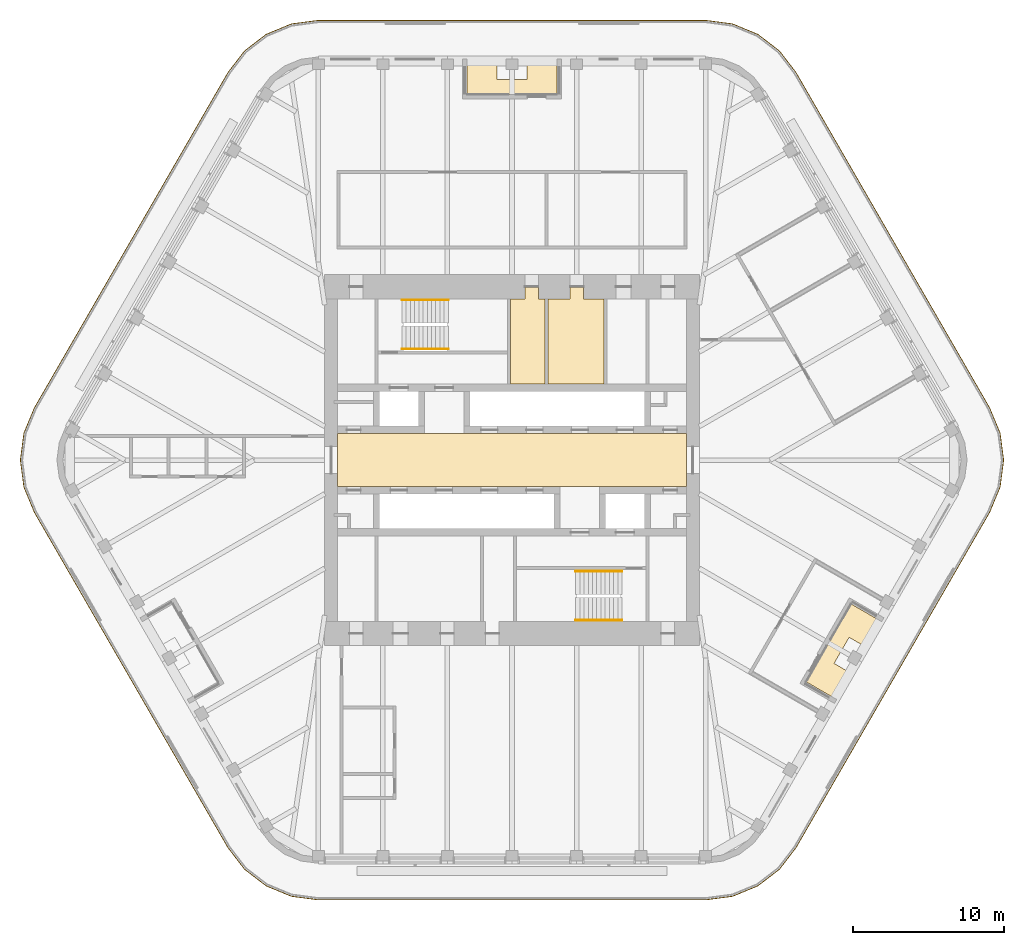
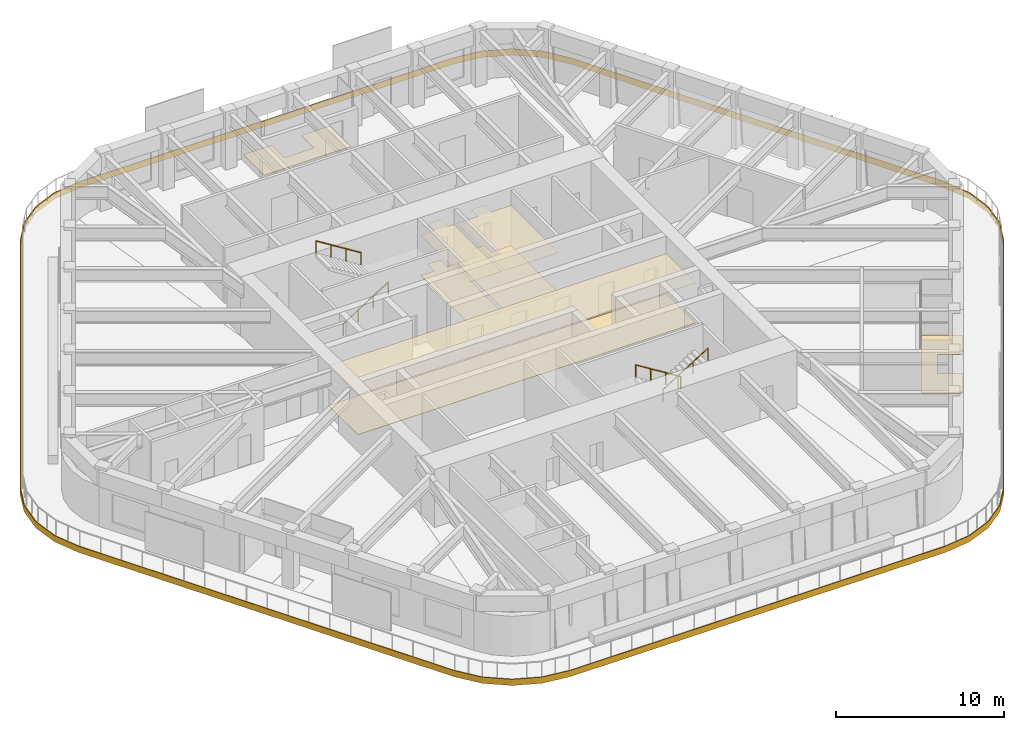
# One storey, part 18 of 19: 9 coverings, 4 railings.
"""IFC4 building model written with IfcOpenShell, lengths in metres."""

from ifc_helpers import new_model, si_unit, direction, frame, origin, origin_2d, place, context, subcontext, project, spatial, polyline, circle, outline, extrude, material, layer, layer_set, type_object, element, save


model = new_model("IFC4")

# Units and contexts
model_context = context("Model", 3, precision=1e-05, world=origin(), true_north=direction((0.0, 1.0)))
body_context = subcontext(model_context, "Body", "Model", "MODEL_VIEW")
ifc_project = project(units=[si_unit("LENGTHUNIT", "METRE"), si_unit("AREAUNIT", "SQUARE_METRE"), si_unit("VOLUMEUNIT", "CUBIC_METRE"), si_unit("PLANEANGLEUNIT", "RADIAN"), si_unit("MASSUNIT", "GRAM", prefix="KILO")], contexts=[model_context])

# Site, building, storey
site_placement = place(None, origin())
site = spatial("IfcSite", under=ifc_project, at=site_placement, CompositionType="ELEMENT")
building_placement = place(site_placement, origin())
building = spatial("IfcBuilding", under=site, at=building_placement, Name="Tarfa Lantern Tower", CompositionType="ELEMENT")
storey_placement = place(building_placement, frame((0.0, 0.0, 387.10009765625)))
storey = spatial("IfcBuildingStorey", under=building, at=storey_placement, Name="L88", CompositionType="ELEMENT", Elevation=387.10009765625)

# Coverings
ifc_material_1 = material(Name="Moisture-resistant plasterboard", Category="finish")
ifc_layer_1 = layer(ifc_material_1, 0.014892578125)
ifc_layer_set_1 = layer_set([ifc_layer_1], Name="CL2 MOISTURE-RESISTANT PLASTERBOARD CEILING 15")
covering_type_1 = type_object("IfcCoveringType", Name="CL2 MOISTURE-RESISTANT PLASTERBOARD CEILING 15", PredefinedType="CEILING", material=ifc_layer_set_1)
covering_1_placement = place(storey_placement, frame((0.0, 0.0, 2.89990234375)))
element("IfcCovering", 1, at=covering_1_placement, inside=storey, type_object=covering_type_1, Name="Ceiling L88-05", PredefinedType="CEILING", context=body_context, shape_type="SweptSolid", body=[
    extrude(outline(polyline([(0.85009765625, 10.699951171875), (-0.10009765625, 10.699951171875), (-0.10009765625, 5.050048828125), (2.199951171875, 5.050048828125), (2.199951171875, 10.699951171875), (1.75, 10.699951171875), (1.75, 11.5), (0.85009765625, 11.5), (0.85009765625, 10.699951171875)])), origin(), (0.0, 0.0, 1.0), 0.014892578125),
])
covering_2_placement = place(storey_placement, frame((0.0, 0.0, 2.89990234375)))
element("IfcCovering", 2, at=covering_2_placement, inside=storey, type_object=covering_type_1, Name="Ceiling L88-06", PredefinedType="CEILING", context=body_context, shape_type="SweptSolid", body=[
    extrude(outline(polyline([(2.39990234375, 5.050048828125), (6.10009765625, 5.050048828125), (6.10009765625, 10.699951171875), (4.75, 10.699951171875), (4.75, 11.5), (3.85009765625, 11.5), (3.85009765625, 10.699951171875), (2.39990234375, 10.699951171875), (2.39990234375, 5.050048828125)])), origin(), (0.0, 0.0, 1.0), 0.014892578125),
])
ifc_material_2 = material(Name="Powder-coated aluminium panel", Category="aluminium")
ifc_layer_2 = layer(ifc_material_2, 0.030029296875)
ifc_layer_set_2 = layer_set([ifc_layer_2], Name="CL3 METAL PANEL CEILING 30")
covering_type_2 = type_object("IfcCoveringType", Name="CL3 METAL PANEL CEILING 30", PredefinedType="CEILING", material=ifc_layer_set_2)
covering_3_placement = place(storey_placement, frame((0.0, 0.0, 2.89990234375)))
element("IfcCovering", 3, at=covering_3_placement, inside=storey, type_object=covering_type_2, Name="Ceiling L88-01", PredefinedType="CEILING", context=body_context, shape_type="SweptSolid", body=[
    extrude(outline(polyline([(-11.574951171875, -1.75), (11.574951171875, -1.75), (11.574951171875, 1.75), (-11.574951171875, 1.75), (-11.574951171875, -1.75)])), origin(), (0.0, 0.0, 1.0), 0.030029296875),
])
ifc_material_3 = material(Name="Honed limestone flooring", Category="masonry")
ifc_layer_3 = layer(ifc_material_3, 0.030029296875)
ifc_layer_set_3 = layer_set([ifc_layer_3], Name="FL2 STONE FLOORING 30")
covering_type_3 = type_object("IfcCoveringType", Name="FL2 STONE FLOORING 30", PredefinedType="FLOORING", material=ifc_layer_set_3)
covering_4_placement = place(storey_placement, origin())
element("IfcCovering", 4, at=covering_4_placement, inside=storey, type_object=covering_type_3, Name="Floor finish L88-01", PredefinedType="FLOORING", context=body_context, shape_type="SweptSolid", body=[
    extrude(outline(polyline([(-11.574951171875, -1.75), (11.574951171875, -1.75), (11.574951171875, 1.75), (-11.574951171875, 1.75), (-11.574951171875, -1.75)])), origin(), (0.0, 0.0, 1.0), 0.02978515625),
])
ifc_material_4 = material(Name="Porcelain floor tile", Category="finish")
ifc_layer_4 = layer(ifc_material_4, 0.011962890625)
ifc_layer_set_4 = layer_set([ifc_layer_4], Name="FL3 CERAMIC TILE 12")
covering_type_4 = type_object("IfcCoveringType", Name="FL3 CERAMIC TILE 12", PredefinedType="FLOORING", material=ifc_layer_set_4)
covering_5_placement = place(storey_placement, origin())
element("IfcCovering", 5, at=covering_5_placement, inside=storey, type_object=covering_type_4, Name="Floor finish L88-05", PredefinedType="FLOORING", context=body_context, shape_type="SweptSolid", body=[
    extrude(outline(polyline([(0.85009765625, 10.699951171875), (-0.10009765625, 10.699951171875), (-0.10009765625, 5.050048828125), (2.199951171875, 5.050048828125), (2.199951171875, 10.699951171875), (1.75, 10.699951171875), (1.75, 11.5), (0.85009765625, 11.5), (0.85009765625, 10.699951171875)])), origin(), (0.0, 0.0, 1.0), 0.011962890625),
])
covering_6_placement = place(storey_placement, origin())
element("IfcCovering", 6, at=covering_6_placement, inside=storey, type_object=covering_type_4, Name="Floor finish L88-06", PredefinedType="FLOORING", context=body_context, shape_type="SweptSolid", body=[
    extrude(outline(polyline([(2.39990234375, 5.050048828125), (6.10009765625, 5.050048828125), (6.10009765625, 10.699951171875), (4.75, 10.699951171875), (4.75, 11.5), (3.85009765625, 11.5), (3.85009765625, 10.699951171875), (2.39990234375, 10.699951171875), (2.39990234375, 5.050048828125)])), origin(), (0.0, 0.0, 1.0), 0.011962890625),
])

# Railings
ifc_material_5 = material(Name="Stainless steel", Category="steel")
railing_type = type_object("IfcRailingType", Name="HR1 HANDRAIL 900", PredefinedType="HANDRAIL", material=ifc_material_5)
railing_1_placement = place(storey_placement, frame((-7.300048828125, 7.3798828125, 0.1748046875)))
element("IfcRailing", 7, at=railing_1_placement, inside=storey, type_object=railing_type, Name="Handrail 1", PredefinedType="HANDRAIL", context=body_context, shape_type="SweptSolid", body=[
    extrude(circle(Radius=0.02392578125, at=origin_2d()), frame((0.0, 0.0, 0.8759765625), z_axis=(0.847998304005, 0.0, 0.529998940003), x_axis=(0.0, 1.0, 0.0)), (0.0, 0.0, 1.0), 3.632080078125),
    extrude(circle(Radius=0.02099609375, at=origin_2d()), frame((0.0, 0.0, 0.0), z_axis=(0.0, 0.0, 1.0), x_axis=(0.0, 1.0, 0.0)), (0.0, 0.0, 1.0), 0.851806640625),
    extrude(circle(Radius=0.02099609375, at=origin_2d()), frame((1.026611328125, 0.0, 0.6416015625), z_axis=(0.0, 0.0, 1.0), x_axis=(0.0, 1.0, 0.0)), (0.0, 0.0, 1.0), 0.851806640625),
    extrude(circle(Radius=0.02099609375, at=origin_2d()), frame((2.053466796875, 0.0, 1.283447265625), z_axis=(0.0, 0.0, 1.0), x_axis=(0.0, 1.0, 0.0)), (0.0, 0.0, 1.0), 0.851806640625),
    extrude(circle(Radius=0.02099609375, at=origin_2d()), frame((3.080078125, 0.0, 1.925048828125), z_axis=(0.0, 0.0, 1.0), x_axis=(0.0, 1.0, 0.0)), (0.0, 0.0, 1.0), 0.851806640625),
])
for number, where, name in (
    (8, (-4.219970703125, 10.6201171875, 2.27490234375), "Handrail 2"),
    (9, (7.300048828125, -7.3798828125, 0.1748046875), "Handrail 1"),
):
    element("IfcRailing", number, at=place(storey_placement, frame(where)), inside=storey, type_object=railing_type, Name=name, PredefinedType="HANDRAIL", context=body_context, shape_type="SweptSolid", body=[
        extrude(circle(Radius=0.02392578125, at=origin_2d()), frame((0.0, 0.0, 0.8759765625), z_axis=(-0.847998304005, 0.0, 0.529998940003), x_axis=(0.0, -1.0, 0.0)), (0.0, 0.0, 1.0), 3.632080078125),
        extrude(circle(Radius=0.02099609375, at=origin_2d()), frame((0.0, 0.0, 0.0), z_axis=(0.0, 0.0, 1.0), x_axis=(0.0, -1.0, 0.0)), (0.0, 0.0, 1.0), 0.851806640625),
        extrude(circle(Radius=0.02099609375, at=origin_2d()), frame((-1.026611328125, 0.0, 0.6416015625), z_axis=(0.0, 0.0, 1.0), x_axis=(0.0, -1.0, 0.0)), (0.0, 0.0, 1.0), 0.851806640625),
        extrude(circle(Radius=0.02099609375, at=origin_2d()), frame((-2.053466796875, 0.0, 1.283447265625), z_axis=(0.0, 0.0, 1.0), x_axis=(0.0, -1.0, 0.0)), (0.0, 0.0, 1.0), 0.851806640625),
        extrude(circle(Radius=0.02099609375, at=origin_2d()), frame((-3.080078125, 0.0, 1.925048828125), z_axis=(0.0, 0.0, 1.0), x_axis=(0.0, -1.0, 0.0)), (0.0, 0.0, 1.0), 0.851806640625),
    ])
railing_2_placement = place(storey_placement, frame((4.219970703125, -10.6201171875, 2.27490234375)))
element("IfcRailing", 10, at=railing_2_placement, inside=storey, type_object=railing_type, Name="Handrail 2", PredefinedType="HANDRAIL", context=body_context, shape_type="SweptSolid", body=[
    extrude(circle(Radius=0.02392578125, at=origin_2d()), frame((0.0, 0.0, 0.8759765625), z_axis=(0.847998304005, 0.0, 0.529998940003), x_axis=(0.0, 1.0, 0.0)), (0.0, 0.0, 1.0), 3.632080078125),
    extrude(circle(Radius=0.02099609375, at=origin_2d()), frame((0.0, 0.0, 0.0), z_axis=(0.0, 0.0, 1.0), x_axis=(0.0, 1.0, 0.0)), (0.0, 0.0, 1.0), 0.851806640625),
    extrude(circle(Radius=0.02099609375, at=origin_2d()), frame((1.026611328125, 0.0, 0.6416015625), z_axis=(0.0, 0.0, 1.0), x_axis=(0.0, 1.0, 0.0)), (0.0, 0.0, 1.0), 0.851806640625),
    extrude(circle(Radius=0.02099609375, at=origin_2d()), frame((2.053466796875, 0.0, 1.283447265625), z_axis=(0.0, 0.0, 1.0), x_axis=(0.0, 1.0, 0.0)), (0.0, 0.0, 1.0), 0.851806640625),
    extrude(circle(Radius=0.02099609375, at=origin_2d()), frame((3.080078125, 0.0, 1.925048828125), z_axis=(0.0, 0.0, 1.0), x_axis=(0.0, 1.0, 0.0)), (0.0, 0.0, 1.0), 0.851806640625),
])

# Coverings
ifc_material_6 = material(Name="Porcelain pavers on pedestals", Category="ceramic")
ifc_layer_5 = layer(ifc_material_6, 0.0400390625)
ifc_layer_set_5 = layer_set([ifc_layer_5], Name="LP1 LOGGIA PAVING 40")
covering_type_5 = type_object("IfcCoveringType", Name="LP1 LOGGIA PAVING 40", PredefinedType="FLOORING", material=ifc_layer_set_5)
covering_7_placement = place(storey_placement, origin())
element("IfcCovering", 11, at=covering_7_placement, inside=storey, type_object=covering_type_5, Name="Terrace paving N", PredefinedType="FLOORING", context=body_context, shape_type="SweptSolid", body=[
    extrude(outline(polyline([(2.98193359375, 26.75), (2.98193359375, 24.27001953125), (-2.98193359375, 24.27001953125), (-2.98193359375, 26.75), (-1.0, 26.75), (-1.0, 25.25), (1.0, 25.25), (1.0, 26.75), (2.98193359375, 26.75)])), origin(), (0.0, 0.0, 1.0), 0.039794921875),
])
covering_8_placement = place(storey_placement, origin())
element("IfcCovering", 12, at=covering_8_placement, inside=storey, type_object=covering_type_5, Name="Terrace paving SE", PredefinedType="FLOORING", context=body_context, shape_type="SweptSolid", body=[
    extrude(outline(polyline([(21.67529296875, -15.95751953125), (19.52734375, -14.717529296875), (22.509521484375, -9.552490234375), (24.6572265625, -10.79248046875), (23.666259765625, -12.509033203125), (22.3671875, -11.759033203125), (21.3671875, -13.490966796875), (22.666259765625, -14.240966796875), (21.67529296875, -15.95751953125)])), origin(), (0.0, 0.0, 1.0), 0.039794921875),
])
ifc_material_7 = material(Name="Limestone cladding on brackets", Category="masonry")
ifc_layer_6 = layer(ifc_material_7, 0.050048828125)
ifc_layer_set_6 = layer_set([ifc_layer_6], Name="SB1 STONE BAND CLADDING 50")
covering_type_6 = type_object("IfcCoveringType", Name="SB1 STONE BAND CLADDING 50", PredefinedType="CLADDING", material=ifc_layer_set_6)
covering_9_placement = place(storey_placement, frame((0.0, 0.0, -0.400146484375)))
element("IfcCovering", 13, at=covering_9_placement, inside=storey, type_object=covering_type_6, Name="Stone band", PredefinedType="CLADDING", context=body_context, shape_type="SweptSolid", body=[
    extrude(outline(polyline([(31.7109375, 3.47509765625), (18.864990234375, 25.72509765625), (17.760498046875, 27.164306640625), (16.321044921875, 28.268798828125), (14.644775390625, 28.963134765625), (12.845947265625, 29.199951171875), (-12.845947265625, 29.199951171875), (-14.644775390625, 28.963134765625), (-16.321044921875, 28.268798828125), (-17.760498046875, 27.164306640625), (-18.864990234375, 25.72509765625), (-31.7109375, 3.47509765625), (-32.4052734375, 1.798828125), (-32.64208984375, 0.0), (-32.4052734375, -1.798828125), (-31.7109375, -3.47509765625), (-18.864990234375, -25.72509765625), (-17.760498046875, -27.164306640625), (-16.321044921875, -28.268798828125), (-14.644775390625, -28.963134765625), (-12.845947265625, -29.199951171875), (12.845947265625, -29.199951171875), (14.644775390625, -28.963134765625), (16.321044921875, -28.268798828125), (17.760498046875, -27.164306640625), (18.864990234375, -25.72509765625), (31.7109375, -3.47509765625), (32.4052734375, -1.798828125), (32.64208984375, 0.0), (32.4052734375, 1.798828125), (31.7109375, 3.47509765625)]), holes=[polyline([(31.667724609375, 3.449951171875), (18.821533203125, 25.699951171875), (17.72509765625, 27.129150390625), (16.296142578125, 28.2255859375), (14.6318359375, 28.914794921875), (12.845947265625, 29.14990234375), (-12.845947265625, 29.14990234375), (-14.6318359375, 28.914794921875), (-16.296142578125, 28.2255859375), (-17.72509765625, 27.129150390625), (-18.821533203125, 25.699951171875), (-31.667724609375, 3.449951171875), (-32.35693359375, 1.785888671875), (-32.592041015625, 0.0), (-32.35693359375, -1.785888671875), (-31.667724609375, -3.449951171875), (-18.821533203125, -25.699951171875), (-17.72509765625, -27.129150390625), (-16.296142578125, -28.2255859375), (-14.6318359375, -28.914794921875), (-12.845947265625, -29.14990234375), (12.845947265625, -29.14990234375), (14.6318359375, -28.914794921875), (16.296142578125, -28.2255859375), (17.72509765625, -27.129150390625), (18.821533203125, -25.699951171875), (31.667724609375, -3.449951171875), (32.35693359375, -1.785888671875), (32.592041015625, 0.0), (32.35693359375, 1.785888671875), (31.667724609375, 3.449951171875)])]), origin(), (0.0, 0.0, 1.0), 0.449951171875),
])

save(model, "model.ifc")
